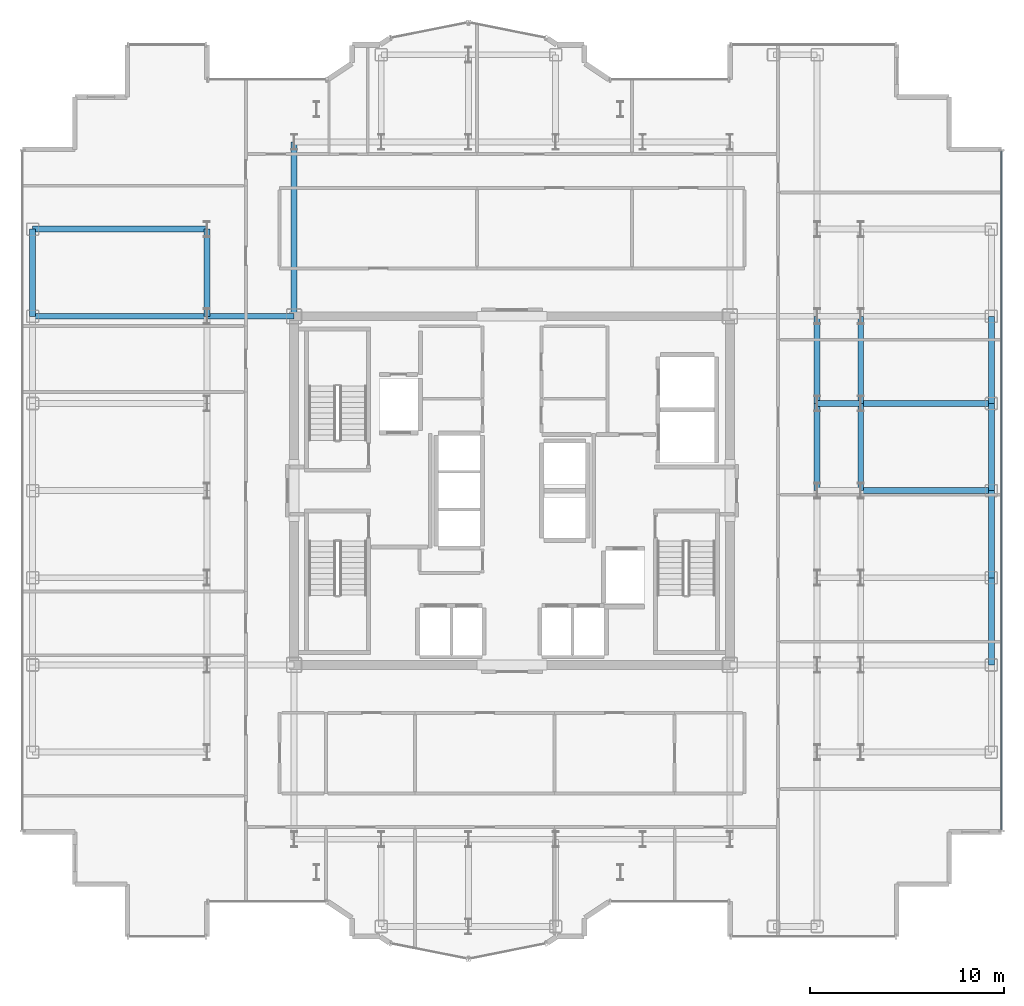
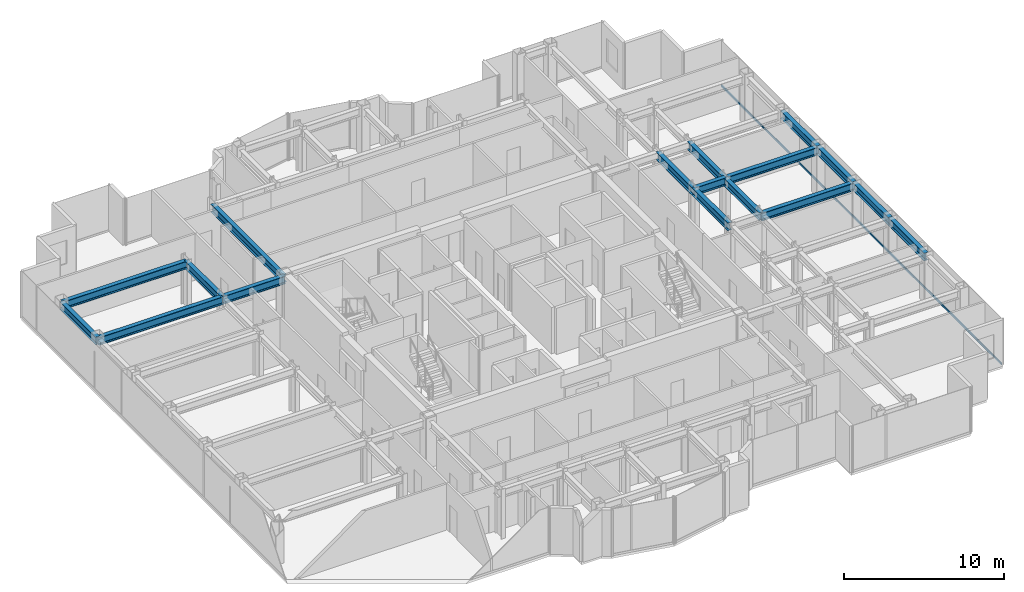
# One storey, part 7 of 20: 17 beams, 1 member, 1 element without a shape of its own.
"""IFC4 building model written with IfcOpenShell, lengths in metres."""

import ifcopenshell
import ifcopenshell.guid

model = None  # the IFC model being written
_history = None  # IfcOwnerHistory: only IFC2X3 demands one
_inside = {}  # id of a spatial element -> (the spatial element, [elements in it])
_under = {}  # id of a project, library or spatial element -> (it, [spatial elements below it])
_declared = {}  # id of a project -> (the project, [libraries it declares])
_typed = {}  # id of a type object -> (the type object, [elements of that type])
_made_of = {}  # id of a material, layer set ... -> (it, [elements and type objects made of it])


def new_model(schema):
    """Start an empty IFC model of exactly this schema.

    Asked for "IFC4X3", IfcOpenShell would pick the latest addendum, in which some entities
    have other attributes; the version numbers below select the first issue.
    IFC2X3 requires an IfcOwnerHistory on every rooted entity: one is made here for all.
    """
    global model, _history
    if schema == "IFC4X3":
        model = ifcopenshell.file(schema_version=(4, 3, 0, 0))
    else:
        model = ifcopenshell.file(schema=schema)
    _inside.clear()
    _under.clear()
    _declared.clear()
    _typed.clear()
    _made_of.clear()
    _history = None
    if model.schema == "IFC2X3":
        org = make("IfcOrganization", Name="unknown")
        user = make(
            "IfcPersonAndOrganization",
            ThePerson=make("IfcPerson", FamilyName="unknown"),
            TheOrganization=org,
        )
        app = make(
            "IfcApplication",
            ApplicationDeveloper=org,
            Version="unknown",
            ApplicationFullName="unknown",
            ApplicationIdentifier="unknown",
        )
        _history = make(
            "IfcOwnerHistory",
            OwningUser=user,
            OwningApplication=app,
            ChangeAction="ADDED",
            CreationDate=0,
        )
    return model


def make(cls, **values):
    """One entity of the class cls with the attributes given. An attribute that is None is left unset."""
    return model.create_entity(
        cls, **{name: value for name, value in values.items() if value is not None}
    )


def rooted(cls, **values):
    """An entity with a GlobalId (a new one), such as an element, a storey or a relation."""
    return make(cls, GlobalId=ifcopenshell.guid.new(), OwnerHistory=_history, **values)


def si_unit(unit_type, name, prefix=None):
    """IfcSIUnit, for example si_unit("LENGTHUNIT", "METRE", prefix="MILLI")."""
    return make("IfcSIUnit", UnitType=unit_type, Prefix=prefix, Name=name)


def assignment(units):
    """IfcUnitAssignment: the units of a project."""
    return None if units is None else make("IfcUnitAssignment", Units=units)


def point(xyz):
    """IfcCartesianPoint."""
    return None if xyz is None else make("IfcCartesianPoint", Coordinates=xyz)


def direction(xyz):
    """IfcDirection."""
    return None if xyz is None else make("IfcDirection", DirectionRatios=xyz)


def frame(location, z_axis=None, x_axis=None):
    """IfcAxis2Placement3D, a coordinate frame: its origin and axes. An axis left out is left unset."""
    return make(
        "IfcAxis2Placement3D",
        Location=point(location),
        Axis=direction(z_axis),
        RefDirection=direction(x_axis),
    )


def frame_2d(location, x_axis=None):
    """IfcAxis2Placement2D, a coordinate frame in the plane: its origin and x axis."""
    return make(
        "IfcAxis2Placement2D", Location=point(location), RefDirection=direction(x_axis)
    )


def origin():
    """The frame at (0, 0, 0) with its axes left unset."""
    return frame((0.0, 0.0, 0.0))


def origin_2d():
    """The frame at (0, 0) in the plane with its x axis left unset."""
    return frame_2d((0.0, 0.0))


def place(relative_to, where):
    """IfcLocalPlacement: puts the frame where relative to a parent placement (None: the world)."""
    return make(
        "IfcLocalPlacement", PlacementRelTo=relative_to, RelativePlacement=where
    )


def context(
    kind, dimensions, precision=None, world=None, true_north=None, identifier=None
):
    """IfcGeometricRepresentationContext, for example the 3D "Model" context."""
    return make(
        "IfcGeometricRepresentationContext",
        ContextIdentifier=identifier,
        ContextType=kind,
        CoordinateSpaceDimension=dimensions,
        Precision=precision,
        WorldCoordinateSystem=world,
        TrueNorth=true_north,
    )


def subcontext(parent, identifier, kind, view, scale=None):
    """IfcGeometricRepresentationSubContext, for example "Body" below "Model"."""
    return make(
        "IfcGeometricRepresentationSubContext",
        ContextIdentifier=identifier,
        ContextType=kind,
        ParentContext=parent,
        TargetScale=scale,
        TargetView=view,
    )


def project(units=None, contexts=None):
    """IfcProject with its units and contexts."""
    return rooted(
        "IfcProject",
        Name="project",
        RepresentationContexts=contexts,
        UnitsInContext=assignment(units),
    )


def spatial(cls, under=None, at=None, **own):
    """A site, building, storey or space (cls), placed at a placement, below another one or the project."""
    s = rooted(cls, ObjectPlacement=at, **own)
    if under is not None:
        _under.setdefault(under.id(), (under, []))[1].append(s)
    return s


def profile(cls, at=None, kind="AREA", **sizes):
    """A parametric profile (cls). Its sizes go by their IFC names, for example OverallWidth=200.0."""
    return make(cls, ProfileType=kind, Position=at, **sizes)


def hollow_rectangle(**sizes):
    """IfcRectangleHollowProfileDef."""
    return profile("IfcRectangleHollowProfileDef", **sizes)


def i_section(**sizes):
    """IfcIShapeProfileDef."""
    return profile("IfcIShapeProfileDef", **sizes)


def extrude(swept, where, along, depth):
    """IfcExtrudedAreaSolid: the profile swept, set in the frame where, extruded along a direction by depth."""
    return make(
        "IfcExtrudedAreaSolid",
        SweptArea=swept,
        Position=where,
        ExtrudedDirection=direction(along),
        Depth=depth,
    )


def shape(context_of_items, identifier, shape_type, items):
    """IfcShapeRepresentation: the items that make up one representation, for example the "Body"."""
    return make(
        "IfcShapeRepresentation",
        ContextOfItems=context_of_items,
        RepresentationIdentifier=identifier,
        RepresentationType=shape_type,
        Items=items,
    )


def source(mapping_origin, context_of_items, identifier, shape_type, items):
    """IfcRepresentationMap: a shape defined once, which mapped items show again and again."""
    return make(
        "IfcRepresentationMap",
        MappingOrigin=mapping_origin,
        MappedRepresentation=shape(context_of_items, identifier, shape_type, items),
    )


def transform(
    local_origin,
    x_axis=None,
    y_axis=None,
    z_axis=None,
    scale=None,
    scale2=None,
    scale3=None,
    uniform=True,
):
    """IfcCartesianTransformationOperator3D, or its non-uniform kind. x_axis, y_axis, z_axis: its Axis1, 2, 3."""
    if uniform:
        return make(
            "IfcCartesianTransformationOperator3D",
            Axis1=direction(x_axis),
            Axis2=direction(y_axis),
            LocalOrigin=point(local_origin),
            Scale=scale,
            Axis3=direction(z_axis),
        )
    return make(
        "IfcCartesianTransformationOperator3DnonUniform",
        Axis1=direction(x_axis),
        Axis2=direction(y_axis),
        LocalOrigin=point(local_origin),
        Scale=scale,
        Axis3=direction(z_axis),
        Scale2=scale2,
        Scale3=scale3,
    )


def mapped(mapping_source, mapping_target):
    """IfcMappedItem: shows the shape of a source again, moved by a transform."""
    return make(
        "IfcMappedItem", MappingSource=mapping_source, MappingTarget=mapping_target
    )


def material(Name=None, Category=None):
    """IfcMaterial."""
    return make("IfcMaterial", Name=Name, Category=Category)


def layer(
    of_material, thickness, ventilated=None, Name=None, Category=None, Priority=None
):
    """IfcMaterialLayer: one layer of a wall or slab, of a material (None: an air gap)."""
    return make(
        "IfcMaterialLayer",
        Material=of_material,
        LayerThickness=thickness,
        IsVentilated=ventilated,
        Name=Name,
        Category=Category,
        Priority=Priority,
    )


def layer_set(layers, Name=None):
    """IfcMaterialLayerSet."""
    return make("IfcMaterialLayerSet", MaterialLayers=layers, LayerSetName=Name)


def material_profile(
    of_material, cross_section, Name=None, Category=None, Priority=None
):
    """IfcMaterialProfile: a cross section and its material."""
    return make(
        "IfcMaterialProfile",
        Name=Name,
        Material=of_material,
        Profile=cross_section,
        Priority=Priority,
        Category=Category,
    )


def profile_set(profiles, Name=None, composite=None):
    """IfcMaterialProfileSet."""
    return make(
        "IfcMaterialProfileSet",
        Name=Name,
        MaterialProfiles=profiles,
        CompositeProfile=composite,
    )


def made_of(thing, what):
    """Note that an element or type object is made of a material, layer set ...; save() writes the relation."""
    if what is not None:
        _made_of.setdefault(what.id(), (what, []))[1].append(thing)
    return thing


def type_object(cls, material=None, **own):
    """A type object (cls), such as IfcWallType, which elements share."""
    return made_of(rooted(cls, **own), material)


def element(
    cls,
    number,
    at=None,
    inside=None,
    cuts=None,
    type_object=None,
    material=None,
    context=None,
    identifier="Body",
    shape_type=None,
    held_by="IfcProductDefinitionShape",
    body=None,
    shapes=None,
    **own,
):
    """One element of the class cls, such as IfcWall. Its Tag is "e" and its number.

    at: its placement. inside: the storey or other place that contains it. cuts: it is an
    opening in that element (IfcRelVoidsElement). A single representation is given by context,
    identifier, shape_type and body (its items); several are given by shapes. held_by: the class
    of the entity that holds the representations. save() writes the other relations.
    """
    e = rooted(cls, Tag="e%d" % number, ObjectPlacement=at, **own)
    if body is not None:
        shapes = [shape(context, identifier, shape_type, body)]
    if shapes is not None:
        e.Representation = make(held_by, Representations=shapes)
    if inside is not None:
        _inside.setdefault(inside.id(), (inside, []))[1].append(e)
    if cuts is not None:
        rooted(
            "IfcRelVoidsElement", RelatingBuildingElement=cuts, RelatedOpeningElement=e
        )
    if type_object is not None:
        _typed.setdefault(type_object.id(), (type_object, []))[1].append(e)
    return made_of(e, material)


def aggregate(whole, parts):
    """IfcRelAggregates: a whole, such as a stair, and the parts it consists of."""
    return rooted("IfcRelAggregates", RelatingObject=whole, RelatedObjects=parts)


def save(model, path):
    """Write the relations noted so far, then the file.

    IfcRelAggregates (storeys below a building ...), IfcRelContainedInSpatialStructure (elements
    in a storey), IfcRelDefinesByType, IfcRelAssociatesMaterial and IfcRelDeclares: one each for
    every whole, place, type object, material and project.
    """
    for whole, parts in _under.values():
        aggregate(whole, parts)
    for where, things in _inside.values():
        rooted(
            "IfcRelContainedInSpatialStructure",
            RelatedElements=things,
            RelatingStructure=where,
        )
    for kind, things in _typed.values():
        rooted("IfcRelDefinesByType", RelatedObjects=things, RelatingType=kind)
    for what, things in _made_of.values():
        rooted("IfcRelAssociatesMaterial", RelatedObjects=things, RelatingMaterial=what)
    for by, libraries in _declared.values():
        rooted("IfcRelDeclares", RelatingContext=by, RelatedDefinitions=libraries)
    model.write(path)


model = new_model("IFC4")

# Units and contexts
model_context = context("Model", 3, precision=1e-05, world=origin(), true_north=direction((0.0, 1.0)))
body_context = subcontext(model_context, "Body", "Model", "MODEL_VIEW")
ifc_project = project(units=[si_unit("LENGTHUNIT", "METRE"), si_unit("AREAUNIT", "SQUARE_METRE"), si_unit("VOLUMEUNIT", "CUBIC_METRE"), si_unit("PLANEANGLEUNIT", "RADIAN"), si_unit("MASSUNIT", "GRAM", prefix="KILO")], contexts=[model_context])

# Site, building, storey
site_placement = place(None, origin())
site = spatial("IfcSite", under=ifc_project, at=site_placement, CompositionType="ELEMENT")
building_placement = place(site_placement, origin())
building = spatial("IfcBuilding", under=site, at=building_placement, Name="Nefas-Gora Pilgrimage Tower", CompositionType="ELEMENT")
storey_placement = place(building_placement, frame((0.0, 0.0, 237.0)))
storey = spatial("IfcBuildingStorey", under=building, at=storey_placement, Name="L59", CompositionType="ELEMENT", Elevation=237.0)

# Beams
ifc_material_1 = material(Name="Steel S355", Category="steel")
ifc_material_profile_1 = material_profile(ifc_material_1, i_section(OverallWidth=0.300048828125, OverallDepth=0.60009765625, WebThickness=0.015380859375, FlangeThickness=0.030029296875, FilletRadius=0.027099609375, at=origin_2d()), Name="HEB 600")
ifc_profile_set_1 = profile_set([ifc_material_profile_1], Name="Steel S355")
beam_type_1 = type_object("IfcBeamType", Name="BM-SPN-HEB450", PredefinedType="SPANDREL", material=ifc_profile_set_1)
shared_shape_1 = source(origin(), body_context, "Body", "SweptSolid", [
    extrude(i_section(OverallWidth=0.300048828125, OverallDepth=0.60009765625, WebThickness=0.015380859375, FlangeThickness=0.030029296875, FilletRadius=0.027099609375, at=origin_2d()), origin(), (0.0, 0.0, 1.0), 4.5),
])
for number, where, z_axis, x_axis, name in (
    (1, (-24.75, 9.0, 3.25), (0.0, 1.0, 0.0), (-1.0, 0.0, 0.0), "L59 SP-03 beam"),
    (2, (24.75, -9.0, 3.25), (0.0, 1.0, 0.0), (-1.0, 0.0, 0.0), "L59 SP-03 beam"),
    (3, (24.75, -4.5, 3.25), (0.0, 1.0, 0.0), (-1.0, 0.0, 0.0), "L59 SP-03 beam"),
    (4, (24.75, 0.0, 3.25), (0.0, 1.0, 0.0), (-1.0, 0.0, 0.0), "L59 SP-03 beam"),
    (5, (24.75, 4.5, 3.25), (0.0, 1.0, 0.0), (-1.0, 0.0, 0.0), "L59 SP-03 beam"),
):
    element("IfcBeam", number, at=place(storey_placement, frame(where, z_axis=z_axis, x_axis=x_axis)), inside=storey, type_object=beam_type_1, Name=name, PredefinedType="SPANDREL", context=body_context, shape_type="MappedRepresentation", body=[
        mapped(shared_shape_1, transform((0.0, 0.0, 0.0), x_axis=(1.0, 0.0, 0.0), y_axis=(0.0, 1.0, 0.0), z_axis=(0.0, 0.0, 1.0), scale=1.0)),
    ])
ifc_material_profile_2 = material_profile(ifc_material_1, i_section(OverallWidth=0.300048828125, OverallDepth=0.60009765625, WebThickness=0.015380859375, FlangeThickness=0.030029296875, FilletRadius=0.027099609375, at=origin_2d()), Name="HEB 600")
ifc_profile_set_2 = profile_set([ifc_material_profile_2], Name="Steel S355")
beam_type_2 = type_object("IfcBeamType", Name="BM-GIR-HEB600", PredefinedType="BEAM", material=ifc_profile_set_2)
shared_shape_2 = source(origin(), body_context, "Body", "SweptSolid", [
    extrude(i_section(OverallWidth=0.300048828125, OverallDepth=0.60009765625, WebThickness=0.015380859375, FlangeThickness=0.030029296875, FilletRadius=0.027099609375, at=origin_2d()), origin(), (0.0, 0.0, 1.0), 9.0),
])
for number, where, z_axis, x_axis, name in (
    (6, (-24.75, 9.0, 3.25), (1.0, 0.0, 0.0), (0.0, 1.0, 0.0), "L59 G-04 beam"),
    (7, (-24.75, 13.5, 3.25), (1.0, 0.0, 0.0), (0.0, 1.0, 0.0), "L59 G-04 beam"),
    (8, (-11.25, 9.0, 3.25), (0.0, 1.0, 0.0), (-1.0, 0.0, 0.0), "L59 G-04 beam"),
):
    element("IfcBeam", number, at=place(storey_placement, frame(where, z_axis=z_axis, x_axis=x_axis)), inside=storey, type_object=beam_type_2, Name=name, PredefinedType="BEAM", context=body_context, shape_type="MappedRepresentation", body=[
        mapped(shared_shape_2, transform((0.0, 0.0, 0.0), x_axis=(1.0, 0.0, 0.0), y_axis=(0.0, 1.0, 0.0), z_axis=(0.0, 0.0, 1.0), scale=1.0)),
    ])
shared_shape_3 = source(origin(), body_context, "Body", "SweptSolid", [
    extrude(i_section(OverallWidth=0.300048828125, OverallDepth=0.60009765625, WebThickness=0.015380859375, FlangeThickness=0.030029296875, FilletRadius=0.027099609375, at=origin_2d()), origin(), (0.0, 0.0, 1.0), 4.5),
])
for number, where, z_axis, x_axis, name in (
    (9, (-15.75, 9.0, 3.25), (0.0, 1.0, 0.0), (-1.0, 0.0, 0.0), "L59 G-04 beam"),
    (10, (-15.75, 9.0, 3.25), (1.0, 0.0, 0.0), (0.0, 1.0, 0.0), "L59 G-04 beam"),
    (11, (15.75, 0.0, 3.25), (0.0, 1.0, 0.0), (-1.0, 0.0, 0.0), "L59 G-04 beam"),
    (12, (15.75, 4.5, 3.25), (0.0, 1.0, 0.0), (-1.0, 0.0, 0.0), "L59 G-04 beam"),
    (13, (18.0, 0.0, 3.25), (0.0, 1.0, 0.0), (-1.0, 0.0, 0.0), "L59 G-04 beam"),
    (14, (18.0, 4.5, 3.25), (0.0, 1.0, 0.0), (-1.0, 0.0, 0.0), "L59 G-04 beam"),
):
    element("IfcBeam", number, at=place(storey_placement, frame(where, z_axis=z_axis, x_axis=x_axis)), inside=storey, type_object=beam_type_2, Name=name, PredefinedType="BEAM", context=body_context, shape_type="MappedRepresentation", body=[
        mapped(shared_shape_3, transform((0.0, 0.0, 0.0), x_axis=(1.0, 0.0, 0.0), y_axis=(0.0, 1.0, 0.0), z_axis=(0.0, 0.0, 1.0), scale=1.0)),
    ])
shared_shape_4 = source(origin(), body_context, "Body", "SweptSolid", [
    extrude(i_section(OverallWidth=0.300048828125, OverallDepth=0.60009765625, WebThickness=0.015380859375, FlangeThickness=0.030029296875, FilletRadius=0.027099609375, at=origin_2d()), origin(), (0.0, 0.0, 1.0), 6.75),
])
for number, where, z_axis, x_axis, name in (
    (15, (18.0, 0.0, 3.25), (1.0, 0.0, 0.0), (0.0, 1.0, 0.0), "L59 G-04 beam"),
    (16, (18.0, 4.5, 3.25), (1.0, 0.0, 0.0), (0.0, 1.0, 0.0), "L59 G-04 beam"),
):
    element("IfcBeam", number, at=place(storey_placement, frame(where, z_axis=z_axis, x_axis=x_axis)), inside=storey, type_object=beam_type_2, Name=name, PredefinedType="BEAM", context=body_context, shape_type="MappedRepresentation", body=[
        mapped(shared_shape_4, transform((0.0, 0.0, 0.0), x_axis=(1.0, 0.0, 0.0), y_axis=(0.0, 1.0, 0.0), z_axis=(0.0, 0.0, 1.0), scale=1.0)),
    ])
shared_shape_5 = source(origin(), body_context, "Body", "SweptSolid", [
    extrude(i_section(OverallWidth=0.300048828125, OverallDepth=0.60009765625, WebThickness=0.015380859375, FlangeThickness=0.030029296875, FilletRadius=0.027099609375, at=origin_2d()), origin(), (0.0, 0.0, 1.0), 2.25),
])
beam_placement = place(storey_placement, frame((15.75, 4.5, 3.25), z_axis=(1.0, 0.0, 0.0), x_axis=(0.0, 1.0, 0.0)))
element("IfcBeam", 17, at=beam_placement, inside=storey, type_object=beam_type_2, Name="L59 G-04 beam", PredefinedType="BEAM", context=body_context, shape_type="MappedRepresentation", body=[
    mapped(shared_shape_5, transform((0.0, 0.0, 0.0), x_axis=(1.0, 0.0, 0.0), y_axis=(0.0, 1.0, 0.0), z_axis=(0.0, 0.0, 1.0), scale=1.0)),
])

# Curtain wall, member
ifc_material_2 = material(Name="Dark ceramic-fritted solar-control aluminium-glass curtain wall", Category="aluminium")
ifc_layer = layer(ifc_material_2, 0.219970703125)
ifc_layer_set = layer_set([ifc_layer], Name="Dark ceramic-fritted solar-control aluminium-glass curtain wall")
curtain_wall_type = type_object("IfcCurtainWallType", Name="CW-SYS-3", PredefinedType="NOTDEFINED", material=ifc_layer_set)
curtain_wall_placement = place(storey_placement, origin())
curtain_wall = element("IfcCurtainWall", 18, at=curtain_wall_placement, inside=storey, type_object=curtain_wall_type, Name="L59 Unitised Curtain Wall CW3", PredefinedType="NOTDEFINED")
ifc_material_3 = material(Name="Anodised architectural aluminium", Category="aluminium")
ifc_material_profile_3 = material_profile(ifc_material_3, hollow_rectangle(XDim=0.080078125, YDim=0.159912109375, WallThickness=0.00439453125, InnerFilletRadius=0.00439453125, OuterFilletRadius=0.009033203125, at=origin_2d()), Name="ALU TRANSOM 80x160")
ifc_profile_set_3 = profile_set([ifc_material_profile_3], Name="Anodised architectural aluminium")
member_type = type_object("IfcMemberType", Name="CWM-TRN-3", PredefinedType="USERDEFINED", material=ifc_profile_set_3)
shared_shape_6 = source(origin(), body_context, "Body", "SweptSolid", [
    extrude(hollow_rectangle(XDim=0.080078125, YDim=0.159912109375, WallThickness=0.00439453125, InnerFilletRadius=0.00439453125, OuterFilletRadius=0.009033203125, at=origin_2d()), origin(), (0.0, 0.0, 1.0), 35.06005859375),
])
member_placement = place(storey_placement, frame((25.27001953125, -17.530029296875, 0.050048828125), z_axis=(0.0, 1.0, 0.0), x_axis=(-1.0, 0.0, 0.0)))
member = element("IfcMember", 19, at=member_placement, type_object=member_type, Name="CW3 Spandrel Transom", ObjectType="TRANSOM", PredefinedType="USERDEFINED", context=body_context, shape_type="MappedRepresentation", body=[
    mapped(shared_shape_6, transform((0.0, 0.0, 0.0), x_axis=(1.0, 0.0, 0.0), y_axis=(0.0, 1.0, 0.0), z_axis=(0.0, 0.0, 1.0), scale=1.0)),
])
aggregate(curtain_wall, [member])

save(model, "model.ifc")
